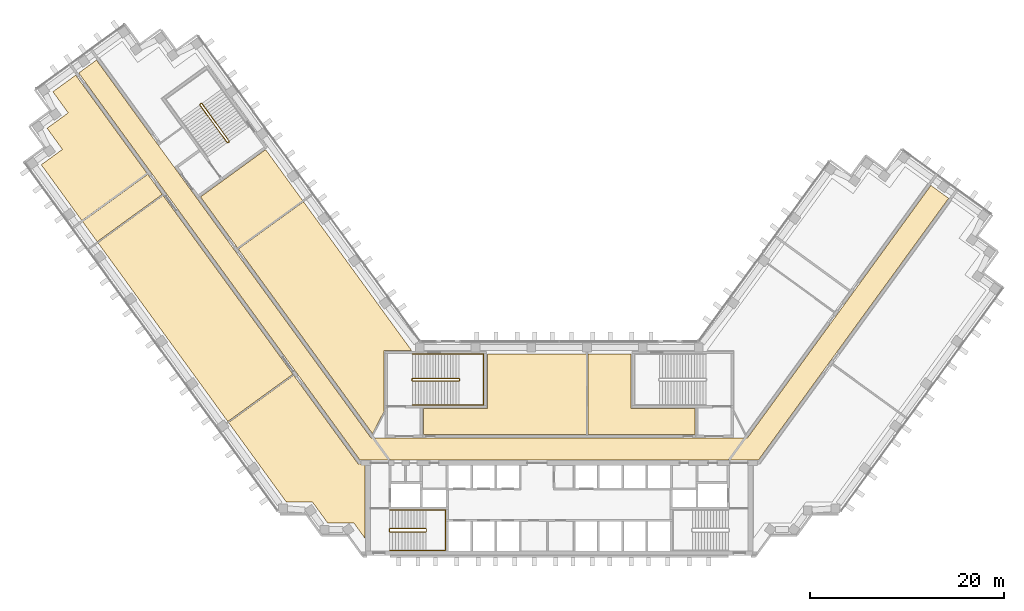
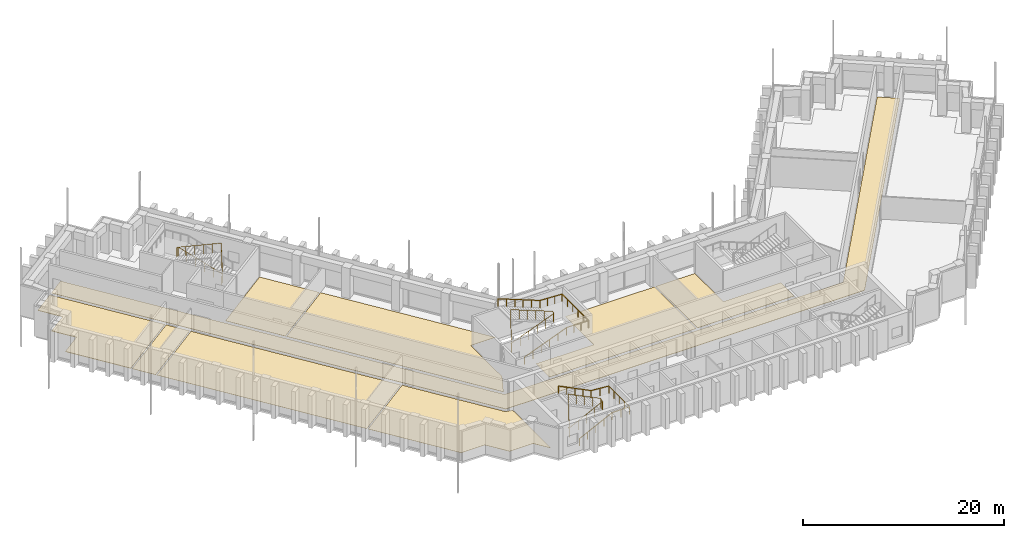
# One storey, part 15 of 16: 9 coverings, 5 railings.
"""IFC4 building model written with IfcOpenShell, lengths in metres."""

from ifc_helpers import new_model, si_unit, direction, frame, origin, origin_2d, place, context, subcontext, project, spatial, polyline, circle, outline, extrude, material, layer, layer_set, type_object, element, save


model = new_model("IFC4")

# Units and contexts
model_context = context("Model", 3, precision=1e-05, world=origin(), true_north=direction((0.0, 1.0)))
body_context = subcontext(model_context, "Body", "Model", "MODEL_VIEW")
ifc_project = project(units=[si_unit("LENGTHUNIT", "METRE"), si_unit("AREAUNIT", "SQUARE_METRE"), si_unit("VOLUMEUNIT", "CUBIC_METRE"), si_unit("PLANEANGLEUNIT", "RADIAN"), si_unit("MASSUNIT", "GRAM", prefix="KILO")], contexts=[model_context])

# Site, building, storey
site_placement = place(None, origin())
site = spatial("IfcSite", under=ifc_project, at=site_placement, CompositionType="ELEMENT")
building_placement = place(site_placement, origin())
building = spatial("IfcBuilding", under=site, at=building_placement, Name="Quipu Civic Tower", CompositionType="ELEMENT")
storey_placement = place(building_placement, frame((0.0, 0.0, 113.0)))
storey = spatial("IfcBuildingStorey", under=building, at=storey_placement, Name="L26", CompositionType="ELEMENT", Elevation=113.0)

# Coverings
ifc_material_1 = material(Name="Carpet tile on raised access floor")
ifc_layer_1 = layer(ifc_material_1, 0.02001953125)
ifc_layer_set_1 = layer_set([ifc_layer_1], Name="Carpet tile on raised access floor")
covering_type_1 = type_object("IfcCoveringType", Name="Carpet tile floor finish 20", PredefinedType="FLOORING", material=ifc_layer_set_1)
covering_1_placement = place(storey_placement, origin())
element("IfcCovering", 1, at=covering_1_placement, inside=storey, type_object=covering_type_1, Name="Carpet tile floor finish 20", PredefinedType="FLOORING", context=body_context, shape_type="SweptSolid", body=[
    extrude(outline(polyline([(-37.0380859375, 26.0380859375), (-30.31494140625, 30.922119140625), (-26.491943359375, 25.658935546875), (-33.215087890625, 20.77490234375), (-37.0380859375, 26.0380859375)])), origin(), (0.0, 0.0, 1.0), 0.02001953125),
])
covering_2_placement = place(storey_placement, origin())
element("IfcCovering", 2, at=covering_2_placement, inside=storey, type_object=covering_type_1, Name="Carpet tile floor finish 20", PredefinedType="FLOORING", context=body_context, shape_type="SweptSolid", body=[
    extrude(outline(polyline([(-34.138916015625, 2.738037109375), (-27.416015625, 7.62109375), (-20.77490234375, -1.51904296875), (-20.070068359375, -1.52001953125), (-20.070068359375, -9.195068359375), (-21.196044921875, -7.64599609375), (-21.6630859375, -7.64599609375), (-21.666015625, -7.64404296875), (-21.669921875, -7.64111328125), (-21.675048828125, -7.639892578125), (-21.679931640625, -7.637939453125), (-21.68408203125, -7.636962890625), (-21.68896484375, -7.636962890625), (-21.694091796875, -7.635986328125), (-21.698974609375, -7.636962890625), (-21.7041015625, -7.637939453125), (-21.708984375, -7.638916015625), (-21.712890625, -7.64111328125), (-21.718017578125, -7.64306640625), (-21.721923828125, -7.64599609375), (-21.721923828125, -7.64599609375), (-23.89501953125, -7.64599609375), (-25.48193359375, -5.4619140625), (-28.181884765625, -5.4609375), (-34.138916015625, 2.738037109375)])), origin(), (0.0, 0.0, 1.0), 0.02001953125),
])
covering_3_placement = place(storey_placement, origin())
element("IfcCovering", 3, at=covering_3_placement, inside=storey, type_object=covering_type_1, Name="Carpet tile floor finish 20", PredefinedType="FLOORING", context=body_context, shape_type="SweptSolid", body=[
    extrude(outline(polyline([(-14.030029296875, 1.52001953125), (-14.030029296875, 4.179931640625), (-7.429931640625, 4.180908203125), (-7.429931640625, 9.830078125), (2.80908203125, 9.830078125), (2.80908203125, 1.52001953125), (-14.030029296875, 1.52001953125)])), origin(), (0.0, 0.0, 1.0), 0.02001953125),
])
covering_4_placement = place(storey_placement, origin())
element("IfcCovering", 4, at=covering_4_placement, inside=storey, type_object=covering_type_1, Name="Carpet tile floor finish 20", PredefinedType="FLOORING", context=body_context, shape_type="SweptSolid", body=[
    extrude(outline(polyline([(-33.132080078125, 20.662109375), (-26.408935546875, 25.5458984375), (-15.238037109375, 10.169921875), (-18.070068359375, 10.1689453125), (-18.070068359375, 3.94189453125), (-19.27197265625, 1.583984375), (-33.132080078125, 20.662109375)])), origin(), (0.0, 0.0, 1.0), 0.02001953125),
])
covering_5_placement = place(storey_placement, origin())
element("IfcCovering", 5, at=covering_5_placement, inside=storey, type_object=covering_type_1, Name="Carpet tile floor finish 20", PredefinedType="FLOORING", context=body_context, shape_type="SweptSolid", body=[
    extrude(outline(polyline([(-47.62890625, 21.304931640625), (-40.905029296875, 26.18798828125), (-27.4990234375, 7.73388671875), (-34.221923828125, 2.85107421875), (-47.62890625, 21.304931640625)])), origin(), (0.0, 0.0, 1.0), 0.02001953125),
])
ifc_material_2 = material(Name="Ceramic floor tile")
ifc_layer_2 = layer(ifc_material_2, 0.030029296875)
ifc_layer_set_2 = layer_set([ifc_layer_2], Name="Ceramic floor tile")
covering_type_2 = type_object("IfcCoveringType", Name="Ceramic tile floor finish 30", PredefinedType="FLOORING", material=ifc_layer_set_2)
covering_6_placement = place(storey_placement, origin())
element("IfcCovering", 6, at=covering_6_placement, inside=storey, type_object=covering_type_2, Name="Ceramic tile floor finish 30", PredefinedType="FLOORING", context=body_context, shape_type="SweptSolid", body=[
    extrude(outline(polyline([(2.948974609375, 1.52001953125), (2.948974609375, 9.830078125), (7.429931640625, 9.830078125), (7.430908203125, 4.179931640625), (14.030029296875, 4.179931640625), (14.030029296875, 1.52001953125), (2.948974609375, 1.52001953125)])), origin(), (0.0, 0.0, 1.0), 0.030029296875),
])
covering_7_placement = place(storey_placement, origin())
element("IfcCovering", 7, at=covering_7_placement, inside=storey, type_object=covering_type_2, Name="Ceramic tile floor finish 30", PredefinedType="FLOORING", context=body_context, shape_type="SweptSolid", body=[
    extrude(outline(polyline([(-49.216064453125, 23.489013671875), (-42.491943359375, 28.373046875), (-40.988037109375, 26.301025390625), (-47.7119140625, 21.41796875), (-49.216064453125, 23.489013671875)])), origin(), (0.0, 0.0, 1.0), 0.030029296875),
])
ifc_material_3 = material(Name="Sealed cement screed")
ifc_layer_3 = layer(ifc_material_3, 0.050048828125)
ifc_layer_set_3 = layer_set([ifc_layer_3], Name="Sealed cement screed")
covering_type_3 = type_object("IfcCoveringType", Name="Sealed screed floor finish 50", PredefinedType="FLOORING", material=ifc_layer_set_3)
covering_8_placement = place(storey_placement, origin())
element("IfcCovering", 8, at=covering_8_placement, inside=storey, type_object=covering_type_3, Name="Sealed screed floor finish 50", PredefinedType="FLOORING", context=body_context, shape_type="SweptSolid", body=[
    extrude(outline(polyline([(-53.47998046875, 29.35791015625), (-51.297119140625, 30.945068359375), (-52.883056640625, 33.12890625), (-50.698974609375, 34.717041015625), (-52.284912109375, 36.90087890625), (-49.930908203125, 38.611083984375), (-42.574951171875, 28.486083984375), (-49.299072265625, 23.60205078125), (-53.47998046875, 29.35791015625)])), origin(), (0.0, 0.0, 1.0), 0.050048828125),
])

# Railings
ifc_material_4 = material(Name="Stainless steel", Category="steel")
railing_type_1 = type_object("IfcRailingType", Name="Stair guard 1100", PredefinedType="GUARDRAIL", material=ifc_material_4)
railing_1_placement = place(storey_placement, frame((-17.5, -8.550048828125, 0.15380859375)))
element("IfcRailing", 9, at=railing_1_placement, inside=storey, type_object=railing_type_1, Name="Stair 1 guard", PredefinedType="GUARDRAIL", context=body_context, shape_type="SweptSolid", body=[
    extrude(circle(Radius=0.02392578125, at=origin_2d()), frame((0.0, 0.0, 1.076171875), z_axis=(0.895751851347, 0.0, 0.444554407028), x_axis=(0.0, 1.0, 0.0)), (0.0, 0.0, 1.0), 4.15283203125),
    extrude(circle(Radius=0.02392578125, at=origin_2d()), frame((3.719970703125, 0.0, 2.92236328125), z_axis=(0.707106781187, 0.707106781187, 0.0), x_axis=(-0.707106781187, 0.707106781187, 0.0)), (0.0, 0.0, 1.0), 0.07080078125),
    extrude(circle(Radius=0.02392578125, at=origin_2d()), frame((3.77001953125, 0.050048828125, 2.92236328125), z_axis=(0.0, 1.0, 0.0), x_axis=(-1.0, 0.0, 0.0)), (0.0, 0.0, 1.0), 0.25),
    extrude(circle(Radius=0.02392578125, at=origin_2d()), frame((3.77001953125, 0.300048828125, 2.92236328125), z_axis=(-0.295599637079, 0.295599637079, 0.908428152975), x_axis=(-0.707106781187, -0.707106781187, 0.0)), (0.0, 0.0, 1.0), 0.16943359375),
    extrude(circle(Radius=0.02392578125, at=origin_2d()), frame((3.719970703125, 0.35009765625, 3.076171875), z_axis=(-0.895751851347, 0.0, 0.444554407028), x_axis=(0.0, -1.0, 0.0)), (0.0, 0.0, 1.0), 4.15283203125),
    extrude(circle(Radius=0.02392578125, at=origin_2d()), frame((0.0, 0.35009765625, 4.92236328125), z_axis=(-0.012476181752, -0.074796231092, -0.997120789425), x_axis=(0.986372223864, -0.164529134168, 0.0)), (0.0, 0.0, 1.0), 4.011474609375),
    extrude(circle(Radius=0.02392578125, at=origin_2d()), frame((-0.050048828125, 0.050048828125, 0.92236328125), z_axis=(0.0, 1.0, 0.0), x_axis=(-1.0, 0.0, 0.0)), (0.0, 0.0, 1.0), 0.25),
    extrude(circle(Radius=0.02099609375, at=origin_2d()), origin(), (0.0, 0.0, 1.0), 1.052001953125),
    extrude(circle(Radius=0.02099609375, at=origin_2d()), frame((0.929931640625, 0.0, 0.46142578125)), (0.0, 0.0, 1.0), 1.052001953125),
    extrude(circle(Radius=0.02099609375, at=origin_2d()), frame((1.85986328125, 0.0, 0.923095703125)), (0.0, 0.0, 1.0), 1.052001953125),
    extrude(circle(Radius=0.02099609375, at=origin_2d()), frame((2.7900390625, 0.0, 1.384765625)), (0.0, 0.0, 1.0), 1.052001953125),
    extrude(circle(Radius=0.02099609375, at=origin_2d()), frame((3.719970703125, 0.0, 1.84619140625)), (0.0, 0.0, 1.0), 1.052001953125),
    extrude(circle(Radius=0.02099609375, at=origin_2d()), frame((3.77001953125, 0.050048828125, 1.84619140625)), (0.0, 0.0, 1.0), 1.052001953125),
    extrude(circle(Radius=0.02099609375, at=origin_2d()), frame((3.77001953125, 0.300048828125, 1.84619140625)), (0.0, 0.0, 1.0), 1.052001953125),
    extrude(circle(Radius=0.02099609375, at=origin_2d()), frame((3.719970703125, 0.35009765625, 2.0)), (0.0, 0.0, 1.0), 1.052001953125),
    extrude(circle(Radius=0.02099609375, at=origin_2d()), frame((2.7900390625, 0.35009765625, 2.46142578125)), (0.0, 0.0, 1.0), 1.052001953125),
    extrude(circle(Radius=0.02099609375, at=origin_2d()), frame((1.85986328125, 0.35009765625, 2.923095703125)), (0.0, 0.0, 1.0), 1.052001953125),
    extrude(circle(Radius=0.02099609375, at=origin_2d()), frame((0.929931640625, 0.35009765625, 3.384765625)), (0.0, 0.0, 1.0), 1.052001953125),
    extrude(circle(Radius=0.02099609375, at=origin_2d()), frame((0.0, 0.35009765625, 3.84619140625)), (0.0, 0.0, 1.0), 1.052001953125),
    extrude(circle(Radius=0.02099609375, at=origin_2d()), frame((-0.012451171875, 0.275146484375, 2.84619140625)), (0.0, 0.0, 1.0), 1.052001953125),
    extrude(circle(Radius=0.02099609375, at=origin_2d()), frame((-0.02490234375, 0.2001953125, 1.84619140625)), (0.0, 0.0, 1.0), 1.052001953125),
    extrude(circle(Radius=0.02099609375, at=origin_2d()), frame((-0.03759765625, 0.125, 0.84619140625)), (0.0, 0.0, 1.0), 1.052001953125),
    extrude(circle(Radius=0.02099609375, at=origin_2d()), frame((-0.050048828125, 0.050048828125, -0.15380859375)), (0.0, 0.0, 1.0), 1.052001953125),
    extrude(circle(Radius=0.02099609375, at=origin_2d()), frame((-0.050048828125, 0.300048828125, -0.15380859375)), (0.0, 0.0, 1.0), 1.052001953125),
])
railing_2_placement = place(storey_placement, frame((-15.14990234375, 7.050048828125, 0.11767578125)))
element("IfcRailing", 10, at=railing_2_placement, inside=storey, type_object=railing_type_1, Name="Stair 3 guard", PredefinedType="GUARDRAIL", context=body_context, shape_type="SweptSolid", body=[
    extrude(circle(Radius=0.02392578125, at=origin_2d()), frame((0.0, 0.0, 1.076171875), z_axis=(0.930970042603, 0.0, 0.365095576219), x_axis=(0.0, 1.0, 0.0)), (0.0, 0.0, 1.0), 5.15576171875),
    extrude(circle(Radius=0.02392578125, at=origin_2d()), frame((4.7998046875, 0.0, 2.95849609375), z_axis=(0.707106781187, 0.707106781187, 0.0), x_axis=(-0.707106781187, 0.707106781187, 0.0)), (0.0, 0.0, 1.0), 0.07080078125),
    extrude(circle(Radius=0.02392578125, at=origin_2d()), frame((4.849853515625, 0.050048828125, 2.95849609375), z_axis=(0.0, 1.0, 0.0), x_axis=(-1.0, 0.0, 0.0)), (0.0, 0.0, 1.0), 0.14990234375),
    extrude(circle(Radius=0.02392578125, at=origin_2d()), frame((4.849853515625, 0.199951171875, 2.95849609375), z_axis=(-0.364463019033, 0.364463019033, 0.856932561824), x_axis=(-0.707106781187, -0.707106781187, 0.0)), (0.0, 0.0, 1.0), 0.13720703125),
    extrude(circle(Radius=0.02392578125, at=origin_2d()), frame((4.7998046875, 0.25, 3.076171875), z_axis=(-0.930970042603, 0.0, 0.365095576219), x_axis=(0.0, -1.0, 0.0)), (0.0, 0.0, 1.0), 5.15576171875),
    extrude(circle(Radius=0.02392578125, at=origin_2d()), frame((0.0, 0.25, 4.95849609375), z_axis=(-0.012495627992, -0.049921557685, -0.998674970829), x_axis=(0.970072785993, -0.242814311512, 0.0)), (0.0, 0.0, 1.0), 4.00537109375),
    extrude(circle(Radius=0.02392578125, at=origin_2d()), frame((-0.050048828125, 0.050048828125, 0.95849609375), z_axis=(0.0, 1.0, 0.0), x_axis=(-1.0, 0.0, 0.0)), (0.0, 0.0, 1.0), 0.14990234375),
    extrude(circle(Radius=0.02099609375, at=origin_2d()), origin(), (0.0, 0.0, 1.0), 1.052001953125),
    extrude(circle(Radius=0.02099609375, at=origin_2d()), frame((0.9599609375, 0.0, 0.37646484375)), (0.0, 0.0, 1.0), 1.052001953125),
    extrude(circle(Radius=0.02099609375, at=origin_2d()), frame((1.919921875, 0.0, 0.7529296875)), (0.0, 0.0, 1.0), 1.052001953125),
    extrude(circle(Radius=0.02099609375, at=origin_2d()), frame((2.8798828125, 0.0, 1.12939453125)), (0.0, 0.0, 1.0), 1.052001953125),
    extrude(circle(Radius=0.02099609375, at=origin_2d()), frame((3.83984375, 0.0, 1.505859375)), (0.0, 0.0, 1.0), 1.052001953125),
    extrude(circle(Radius=0.02099609375, at=origin_2d()), frame((4.7998046875, 0.0, 1.88232421875)), (0.0, 0.0, 1.0), 1.052001953125),
    extrude(circle(Radius=0.02099609375, at=origin_2d()), frame((4.849853515625, 0.050048828125, 1.88232421875)), (0.0, 0.0, 1.0), 1.052001953125),
    extrude(circle(Radius=0.02099609375, at=origin_2d()), frame((4.849853515625, 0.199951171875, 1.88232421875)), (0.0, 0.0, 1.0), 1.052001953125),
    extrude(circle(Radius=0.02099609375, at=origin_2d()), frame((4.7998046875, 0.25, 2.0)), (0.0, 0.0, 1.0), 1.052001953125),
    extrude(circle(Radius=0.02099609375, at=origin_2d()), frame((3.83984375, 0.25, 2.37646484375)), (0.0, 0.0, 1.0), 1.052001953125),
    extrude(circle(Radius=0.02099609375, at=origin_2d()), frame((2.8798828125, 0.25, 2.7529296875)), (0.0, 0.0, 1.0), 1.052001953125),
    extrude(circle(Radius=0.02099609375, at=origin_2d()), frame((1.919921875, 0.25, 3.12939453125)), (0.0, 0.0, 1.0), 1.052001953125),
    extrude(circle(Radius=0.02099609375, at=origin_2d()), frame((0.9599609375, 0.25, 3.505859375)), (0.0, 0.0, 1.0), 1.052001953125),
    extrude(circle(Radius=0.02099609375, at=origin_2d()), frame((0.0, 0.25, 3.88232421875)), (0.0, 0.0, 1.0), 1.052001953125),
    extrude(circle(Radius=0.02099609375, at=origin_2d()), frame((-0.012451171875, 0.199951171875, 2.88232421875)), (0.0, 0.0, 1.0), 1.052001953125),
    extrude(circle(Radius=0.02099609375, at=origin_2d()), frame((-0.02490234375, 0.14990234375, 1.88232421875)), (0.0, 0.0, 1.0), 1.052001953125),
    extrude(circle(Radius=0.02099609375, at=origin_2d()), frame((-0.03759765625, 0.10009765625, 0.88232421875)), (0.0, 0.0, 1.0), 1.052001953125),
    extrude(circle(Radius=0.02099609375, at=origin_2d()), frame((-0.050048828125, 0.050048828125, -0.11767578125)), (0.0, 0.0, 1.0), 1.052001953125),
    extrude(circle(Radius=0.02099609375, at=origin_2d()), frame((-0.050048828125, 0.199951171875, -0.11767578125)), (0.0, 0.0, 1.0), 1.052001953125),
])
railing_3_placement = place(storey_placement, frame((-34.078857421875, 31.79736328125, 0.11767578125)))
element("IfcRailing", 11, at=railing_3_placement, inside=storey, type_object=railing_type_1, Name="Stair 6 guard", PredefinedType="GUARDRAIL", context=body_context, shape_type="SweptSolid", body=[
    extrude(circle(Radius=0.02392578125, at=origin_2d()), frame((0.0, 0.0, 1.076171875), z_axis=(-0.54720100349, 0.753182689643, 0.365084781664), x_axis=(-0.809026317077, -0.587772420479, 0.0)), (0.0, 0.0, 1.0), 5.15576171875),
    extrude(circle(Radius=0.02392578125, at=origin_2d()), frame((-2.8212890625, 3.88330078125, 2.95849609375), z_axis=(-0.987846838465, 0.155430446612, 0.0), x_axis=(-0.155430446612, -0.987846838465, 0.0)), (0.0, 0.0, 1.0), 0.07080078125),
    extrude(circle(Radius=0.02392578125, at=origin_2d()), frame((-2.89111328125, 3.894287109375, 2.95849609375), z_axis=(-0.809649071907, -0.586914287065, 0.0), x_axis=(0.586914287065, -0.809649071907, 0.0)), (0.0, 0.0, 1.0), 0.150146484375),
    extrude(circle(Radius=0.02392578125, at=origin_2d()), frame((-3.0126953125, 3.80615234375, 2.95849609375), z_axis=(-0.080033047627, -0.508654480474, 0.857242865693), x_axis=(0.987846838465, -0.155430446612, 0.0)), (0.0, 0.0, 1.0), 0.13720703125),
    extrude(circle(Radius=0.02392578125, at=origin_2d()), frame((-3.023681640625, 3.736328125, 3.076171875), z_axis=(0.54720100349, -0.753182689643, 0.365084781664), x_axis=(0.809026317077, 0.587772420479, 0.0)), (0.0, 0.0, 1.0), 5.15576171875),
    extrude(circle(Radius=0.02392578125, at=origin_2d()), frame((-0.202392578125, -0.14697265625, 4.95849609375), z_axis=(0.047788004556, 0.019261491632, -0.998671768681), x_axis=(-0.373837031195, 0.92749440651, 0.0)), (0.0, 0.0, 1.0), 4.00537109375),
    extrude(circle(Radius=0.02392578125, at=origin_2d()), frame((-0.010986328125, -0.06982421875, 0.95849609375), z_axis=(-0.809087927272, -0.587687609145, 0.0), x_axis=(0.587687609145, -0.809087927272, 0.0)), (0.0, 0.0, 1.0), 0.14990234375),
    extrude(circle(Radius=0.02099609375, at=origin_2d()), origin(), (0.0, 0.0, 1.0), 1.052001953125),
    extrude(circle(Radius=0.02099609375, at=origin_2d()), frame((-0.564208984375, 0.776611328125, 0.37646484375)), (0.0, 0.0, 1.0), 1.052001953125),
    extrude(circle(Radius=0.02099609375, at=origin_2d()), frame((-1.12841796875, 1.55322265625, 0.7529296875)), (0.0, 0.0, 1.0), 1.052001953125),
    extrude(circle(Radius=0.02099609375, at=origin_2d()), frame((-1.69287109375, 2.330078125, 1.12939453125)), (0.0, 0.0, 1.0), 1.052001953125),
    extrude(circle(Radius=0.02099609375, at=origin_2d()), frame((-2.257080078125, 3.106689453125, 1.505859375)), (0.0, 0.0, 1.0), 1.052001953125),
    extrude(circle(Radius=0.02099609375, at=origin_2d()), frame((-2.8212890625, 3.88330078125, 1.88232421875)), (0.0, 0.0, 1.0), 1.052001953125),
    extrude(circle(Radius=0.02099609375, at=origin_2d()), frame((-2.89111328125, 3.894287109375, 1.88232421875)), (0.0, 0.0, 1.0), 1.052001953125),
    extrude(circle(Radius=0.02099609375, at=origin_2d()), frame((-3.0126953125, 3.80615234375, 1.88232421875)), (0.0, 0.0, 1.0), 1.052001953125),
    extrude(circle(Radius=0.02099609375, at=origin_2d()), frame((-3.023681640625, 3.736328125, 2.0)), (0.0, 0.0, 1.0), 1.052001953125),
    extrude(circle(Radius=0.02099609375, at=origin_2d()), frame((-2.45947265625, 2.959716796875, 2.37646484375)), (0.0, 0.0, 1.0), 1.052001953125),
    extrude(circle(Radius=0.02099609375, at=origin_2d()), frame((-1.895263671875, 2.18310546875, 2.7529296875)), (0.0, 0.0, 1.0), 1.052001953125),
    extrude(circle(Radius=0.02099609375, at=origin_2d()), frame((-1.330810546875, 1.40625, 3.12939453125)), (0.0, 0.0, 1.0), 1.052001953125),
    extrude(circle(Radius=0.02099609375, at=origin_2d()), frame((-0.7666015625, 0.629638671875, 3.505859375)), (0.0, 0.0, 1.0), 1.052001953125),
    extrude(circle(Radius=0.02099609375, at=origin_2d()), frame((-0.202392578125, -0.14697265625, 3.88232421875)), (0.0, 0.0, 1.0), 1.052001953125),
    extrude(circle(Radius=0.02099609375, at=origin_2d()), frame((-0.154541015625, -0.127685546875, 2.88232421875)), (0.0, 0.0, 1.0), 1.052001953125),
    extrude(circle(Radius=0.02099609375, at=origin_2d()), frame((-0.106689453125, -0.1083984375, 1.88232421875)), (0.0, 0.0, 1.0), 1.052001953125),
    extrude(circle(Radius=0.02099609375, at=origin_2d()), frame((-0.058837890625, -0.089111328125, 0.88232421875)), (0.0, 0.0, 1.0), 1.052001953125),
    extrude(circle(Radius=0.02099609375, at=origin_2d()), frame((-0.010986328125, -0.06982421875, -0.11767578125)), (0.0, 0.0, 1.0), 1.052001953125),
    extrude(circle(Radius=0.02099609375, at=origin_2d()), frame((-0.13232421875, -0.157958984375, -0.11767578125)), (0.0, 0.0, 1.0), 1.052001953125),
])
ifc_material_5 = material(Name="Stainless steel", Category="steel")
railing_type_2 = type_object("IfcRailingType", Name="Stair handrail", PredefinedType="HANDRAIL", material=ifc_material_5)
railing_4_placement = place(storey_placement, frame((-17.5, -10.449951171875, 0.15380859375)))
element("IfcRailing", 12, at=railing_4_placement, inside=storey, type_object=railing_type_2, Name="Stair 1 handrail", PredefinedType="HANDRAIL", context=body_context, shape_type="SweptSolid", body=[
    extrude(circle(Radius=0.02392578125, at=origin_2d()), frame((0.0, 0.0, 0.8759765625), z_axis=(0.895751851347, 0.0, 0.444554407028), x_axis=(0.0, 1.0, 0.0)), (0.0, 0.0, 1.0), 4.15283203125),
    extrude(circle(Radius=0.02392578125, at=origin_2d()), frame((3.719970703125, 0.0, 2.72216796875), z_axis=(1.0, 0.0, 0.0), x_axis=(0.0, 1.0, 0.0)), (0.0, 0.0, 1.0), 2.030029296875),
    extrude(circle(Radius=0.02392578125, at=origin_2d()), frame((5.75, 0.0, 2.72216796875), z_axis=(0.0, 1.0, 0.0), x_axis=(-1.0, 0.0, 0.0)), (0.0, 0.0, 1.0), 4.14990234375),
    extrude(circle(Radius=0.02392578125, at=origin_2d()), frame((5.75, 4.14990234375, 2.72216796875), z_axis=(-0.997142003663, 0.0, 0.075550145798), x_axis=(0.0, -1.0, 0.0)), (0.0, 0.0, 1.0), 2.035888671875),
    extrude(circle(Radius=0.02392578125, at=origin_2d()), frame((3.719970703125, 4.14990234375, 2.8759765625), z_axis=(-0.895751851347, 0.0, 0.444554407028), x_axis=(0.0, -1.0, 0.0)), (0.0, 0.0, 1.0), 4.15283203125),
    extrude(circle(Radius=0.02099609375, at=origin_2d()), origin(), (0.0, 0.0, 1.0), 0.851806640625),
    extrude(circle(Radius=0.02099609375, at=origin_2d()), frame((0.929931640625, 0.0, 0.46142578125)), (0.0, 0.0, 1.0), 0.851806640625),
    extrude(circle(Radius=0.02099609375, at=origin_2d()), frame((1.85986328125, 0.0, 0.923095703125)), (0.0, 0.0, 1.0), 0.851806640625),
    extrude(circle(Radius=0.02099609375, at=origin_2d()), frame((2.7900390625, 0.0, 1.384765625)), (0.0, 0.0, 1.0), 0.851806640625),
    extrude(circle(Radius=0.02099609375, at=origin_2d()), frame((3.719970703125, 0.0, 1.84619140625)), (0.0, 0.0, 1.0), 0.851806640625),
    extrude(circle(Radius=0.02099609375, at=origin_2d()), frame((4.73486328125, 0.0, 1.84619140625)), (0.0, 0.0, 1.0), 0.851806640625),
    extrude(circle(Radius=0.02099609375, at=origin_2d()), frame((5.75, 0.0, 1.84619140625)), (0.0, 0.0, 1.0), 0.851806640625),
    extrude(circle(Radius=0.02099609375, at=origin_2d()), frame((5.75, 1.03759765625, 1.84619140625)), (0.0, 0.0, 1.0), 0.851806640625),
    extrude(circle(Radius=0.02099609375, at=origin_2d()), frame((5.75, 2.074951171875, 1.84619140625)), (0.0, 0.0, 1.0), 0.851806640625),
    extrude(circle(Radius=0.02099609375, at=origin_2d()), frame((5.75, 3.1123046875, 1.84619140625)), (0.0, 0.0, 1.0), 0.851806640625),
    extrude(circle(Radius=0.02099609375, at=origin_2d()), frame((5.75, 4.14990234375, 1.84619140625)), (0.0, 0.0, 1.0), 0.851806640625),
    extrude(circle(Radius=0.02099609375, at=origin_2d()), frame((4.73486328125, 4.14990234375, 1.923095703125)), (0.0, 0.0, 1.0), 0.851806640625),
    extrude(circle(Radius=0.02099609375, at=origin_2d()), frame((3.719970703125, 4.14990234375, 2.0)), (0.0, 0.0, 1.0), 0.851806640625),
    extrude(circle(Radius=0.02099609375, at=origin_2d()), frame((2.7900390625, 4.14990234375, 2.46142578125)), (0.0, 0.0, 1.0), 0.851806640625),
    extrude(circle(Radius=0.02099609375, at=origin_2d()), frame((1.85986328125, 4.14990234375, 2.923095703125)), (0.0, 0.0, 1.0), 0.851806640625),
    extrude(circle(Radius=0.02099609375, at=origin_2d()), frame((0.929931640625, 4.14990234375, 3.384765625)), (0.0, 0.0, 1.0), 0.851806640625),
    extrude(circle(Radius=0.02099609375, at=origin_2d()), frame((0.0, 4.14990234375, 3.84619140625)), (0.0, 0.0, 1.0), 0.851806640625),
])
railing_5_placement = place(storey_placement, frame((-15.14990234375, 4.550048828125, 0.11767578125)))
element("IfcRailing", 13, at=railing_5_placement, inside=storey, type_object=railing_type_2, Name="Stair 3 handrail", PredefinedType="HANDRAIL", context=body_context, shape_type="SweptSolid", body=[
    extrude(circle(Radius=0.02392578125, at=origin_2d()), frame((0.0, 0.0, 0.8759765625), z_axis=(0.930970042603, 0.0, 0.365095576219), x_axis=(0.0, 1.0, 0.0)), (0.0, 0.0, 1.0), 5.15576171875),
    extrude(circle(Radius=0.02392578125, at=origin_2d()), frame((4.7998046875, 0.0, 2.75830078125), z_axis=(1.0, 0.0, 0.0), x_axis=(0.0, 1.0, 0.0)), (0.0, 0.0, 1.0), 2.550048828125),
    extrude(circle(Radius=0.02392578125, at=origin_2d()), frame((7.349853515625, 0.0, 2.75830078125), z_axis=(0.0, 1.0, 0.0), x_axis=(-1.0, 0.0, 0.0)), (0.0, 0.0, 1.0), 5.25),
    extrude(circle(Radius=0.02392578125, at=origin_2d()), frame((7.349853515625, 5.25, 2.75830078125), z_axis=(-0.998936948642, 0.0, 0.04609742549), x_axis=(0.0, -1.0, 0.0)), (0.0, 0.0, 1.0), 2.552734375),
    extrude(circle(Radius=0.02392578125, at=origin_2d()), frame((4.7998046875, 5.25, 2.8759765625), z_axis=(-0.930970042603, 0.0, 0.365095576219), x_axis=(0.0, -1.0, 0.0)), (0.0, 0.0, 1.0), 5.15576171875),
    extrude(circle(Radius=0.02099609375, at=origin_2d()), origin(), (0.0, 0.0, 1.0), 0.851806640625),
    extrude(circle(Radius=0.02099609375, at=origin_2d()), frame((0.9599609375, 0.0, 0.37646484375)), (0.0, 0.0, 1.0), 0.851806640625),
    extrude(circle(Radius=0.02099609375, at=origin_2d()), frame((1.919921875, 0.0, 0.7529296875)), (0.0, 0.0, 1.0), 0.851806640625),
    extrude(circle(Radius=0.02099609375, at=origin_2d()), frame((2.8798828125, 0.0, 1.12939453125)), (0.0, 0.0, 1.0), 0.851806640625),
    extrude(circle(Radius=0.02099609375, at=origin_2d()), frame((3.83984375, 0.0, 1.505859375)), (0.0, 0.0, 1.0), 0.851806640625),
    extrude(circle(Radius=0.02099609375, at=origin_2d()), frame((4.7998046875, 0.0, 1.88232421875)), (0.0, 0.0, 1.0), 0.851806640625),
    extrude(circle(Radius=0.02099609375, at=origin_2d()), frame((5.64990234375, 0.0, 1.88232421875)), (0.0, 0.0, 1.0), 0.851806640625),
    extrude(circle(Radius=0.02099609375, at=origin_2d()), frame((6.499755859375, 0.0, 1.88232421875)), (0.0, 0.0, 1.0), 0.851806640625),
    extrude(circle(Radius=0.02099609375, at=origin_2d()), frame((7.349853515625, 0.0, 1.88232421875)), (0.0, 0.0, 1.0), 0.851806640625),
    extrude(circle(Radius=0.02099609375, at=origin_2d()), frame((7.349853515625, 1.050048828125, 1.88232421875)), (0.0, 0.0, 1.0), 0.851806640625),
    extrude(circle(Radius=0.02099609375, at=origin_2d()), frame((7.349853515625, 2.10009765625, 1.88232421875)), (0.0, 0.0, 1.0), 0.851806640625),
    extrude(circle(Radius=0.02099609375, at=origin_2d()), frame((7.349853515625, 3.14990234375, 1.88232421875)), (0.0, 0.0, 1.0), 0.851806640625),
    extrude(circle(Radius=0.02099609375, at=origin_2d()), frame((7.349853515625, 4.199951171875, 1.88232421875)), (0.0, 0.0, 1.0), 0.851806640625),
    extrude(circle(Radius=0.02099609375, at=origin_2d()), frame((7.349853515625, 5.25, 1.88232421875)), (0.0, 0.0, 1.0), 0.851806640625),
    extrude(circle(Radius=0.02099609375, at=origin_2d()), frame((6.499755859375, 5.25, 1.921630859375)), (0.0, 0.0, 1.0), 0.851806640625),
    extrude(circle(Radius=0.02099609375, at=origin_2d()), frame((5.64990234375, 5.25, 1.960693359375)), (0.0, 0.0, 1.0), 0.851806640625),
    extrude(circle(Radius=0.02099609375, at=origin_2d()), frame((4.7998046875, 5.25, 2.0)), (0.0, 0.0, 1.0), 0.851806640625),
    extrude(circle(Radius=0.02099609375, at=origin_2d()), frame((3.83984375, 5.25, 2.37646484375)), (0.0, 0.0, 1.0), 0.851806640625),
    extrude(circle(Radius=0.02099609375, at=origin_2d()), frame((2.8798828125, 5.25, 2.7529296875)), (0.0, 0.0, 1.0), 0.851806640625),
    extrude(circle(Radius=0.02099609375, at=origin_2d()), frame((1.919921875, 5.25, 3.12939453125)), (0.0, 0.0, 1.0), 0.851806640625),
    extrude(circle(Radius=0.02099609375, at=origin_2d()), frame((0.9599609375, 5.25, 3.505859375)), (0.0, 0.0, 1.0), 0.851806640625),
    extrude(circle(Radius=0.02099609375, at=origin_2d()), frame((0.0, 5.25, 3.88232421875)), (0.0, 0.0, 1.0), 0.851806640625),
])

# Covering
ifc_material_6 = material(Name="Terrazzo floor finish")
ifc_layer_4 = layer(ifc_material_6, 0.0400390625)
ifc_layer_set_4 = layer_set([ifc_layer_4], Name="Terrazzo floor finish")
covering_type_4 = type_object("IfcCoveringType", Name="Terrazzo floor finish 40", PredefinedType="FLOORING", material=ifc_layer_set_4)
covering_9_placement = place(storey_placement, origin())
element("IfcCovering", 14, at=covering_9_placement, inside=storey, type_object=covering_type_4, Name="Terrazzo floor finish 40", PredefinedType="FLOORING", context=body_context, shape_type="SweptSolid", body=[
    extrude(outline(polyline([(38.382080078125, 27.22412109375), (40.2109375, 25.89599609375), (20.574951171875, -1.1298828125), (-20.574951171875, -1.1298828125), (-49.615966796875, 38.840087890625), (-47.787109375, 40.16796875), (-19.425048828125, 1.1298828125), (19.425048828125, 1.1298828125), (38.382080078125, 27.22412109375)])), origin(), (0.0, 0.0, 1.0), 0.0400390625),
])

save(model, "model.ifc")
